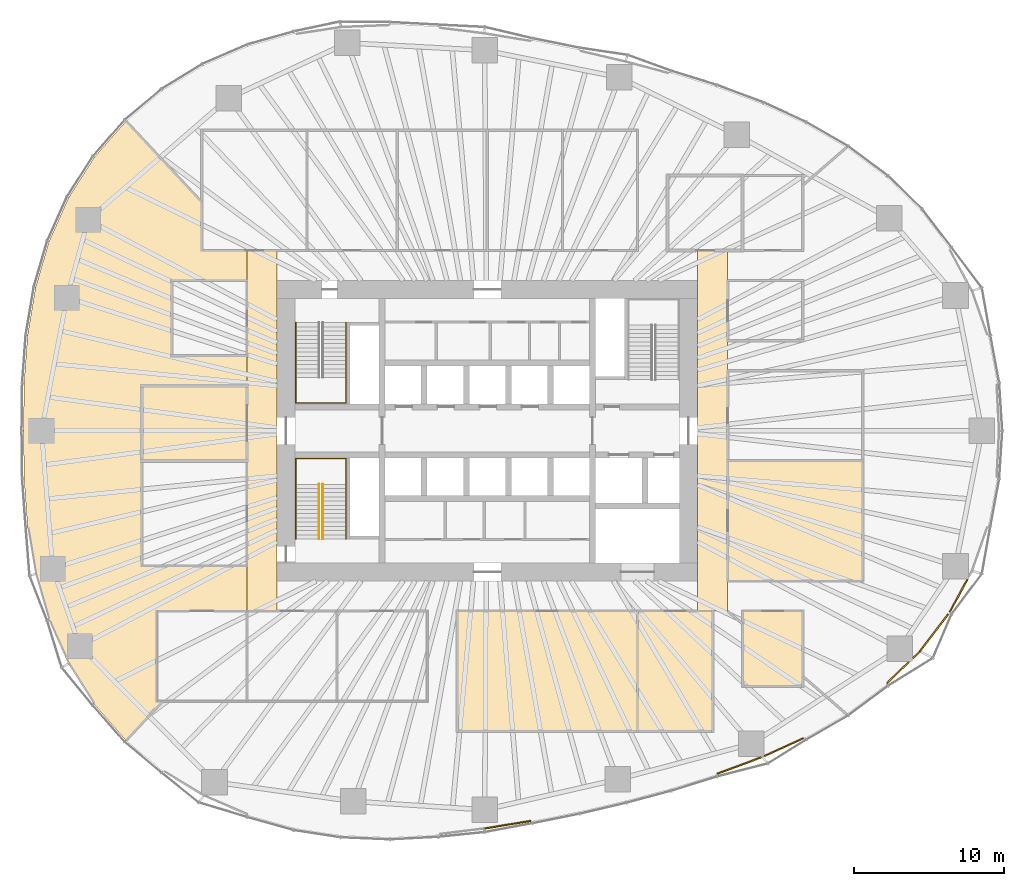
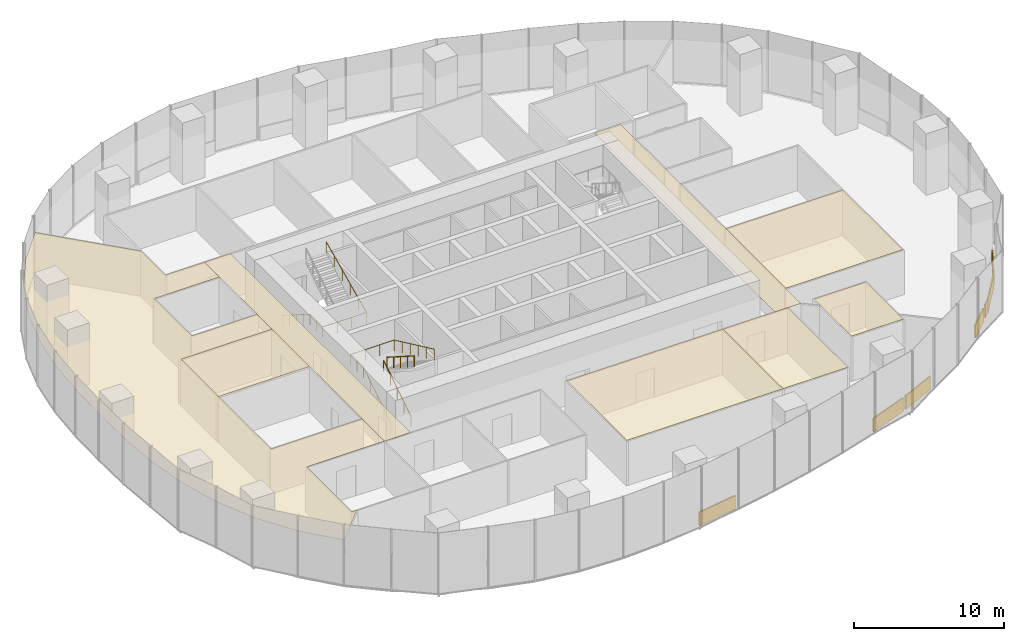
# One storey, part 18 of 20: 15 coverings, 4 railings.
"""IFC4 building model written with IfcOpenShell, lengths in metres."""

from ifc_helpers import new_model, si_unit, direction, frame, origin, origin_2d, place, context, subcontext, project, spatial, polyline, rectangle, circle, outline, extrude, material, layer, layer_set, type_object, element, save


model = new_model("IFC4")

# Units and contexts
model_context = context("Model", 3, precision=1e-05, world=origin(), true_north=direction((0.0, 1.0)))
body_context = subcontext(model_context, "Body", "Model", "MODEL_VIEW")
ifc_project = project(units=[si_unit("LENGTHUNIT", "METRE"), si_unit("AREAUNIT", "SQUARE_METRE"), si_unit("VOLUMEUNIT", "CUBIC_METRE"), si_unit("PLANEANGLEUNIT", "RADIAN"), si_unit("MASSUNIT", "GRAM", prefix="KILO")], contexts=[model_context])

# Site, building, storey
site_placement = place(None, origin())
site = spatial("IfcSite", under=ifc_project, at=site_placement, CompositionType="ELEMENT")
building_placement = place(site_placement, origin())
building = spatial("IfcBuilding", under=site, at=building_placement, Name="Ghaith Harvest Tower", CompositionType="ELEMENT")
storey_placement = place(building_placement, frame((0.0, 0.0, 90.0)))
storey = spatial("IfcBuildingStorey", under=building, at=storey_placement, Name="L18", CompositionType="ELEMENT", Elevation=90.0)

# Coverings
ifc_material_1 = material(Name="Mineral fibre ceiling tile", Category="gypsum")
ifc_layer_1 = layer(ifc_material_1, 0.02490234375)
ifc_layer_set_1 = layer_set([ifc_layer_1], Name="CEILING C2")
covering_type_1 = type_object("IfcCoveringType", Name="CEILING C2", PredefinedType="CEILING", material=ifc_layer_set_1)
covering_1_placement = place(storey_placement, frame((0.0, 0.0, 3.60009765625)))
element("IfcCovering", 1, at=covering_1_placement, inside=storey, type_object=covering_type_1, Name="Ceiling L18-01", PredefinedType="CEILING", context=body_context, shape_type="SweptSolid", body=[
    extrude(outline(polyline([(-2.0, -20.0), (10.0, -20.0), (10.0, -12.0), (-2.0, -12.0), (-2.0, -20.0)])), origin(), (0.0, 0.0, 1.0), 0.02490234375),
])
covering_2_placement = place(storey_placement, frame((0.0, 0.0, 3.60009765625)))
element("IfcCovering", 2, at=covering_2_placement, inside=storey, type_object=covering_type_1, Name="Ceiling L18-02", PredefinedType="CEILING", context=body_context, shape_type="SweptSolid", body=[
    extrude(outline(polyline([(10.0, -20.0), (15.0, -20.0), (15.0, -12.0), (10.0, -12.0), (10.0, -20.0)])), origin(), (0.0, 0.0, 1.0), 0.02490234375),
])
covering_3_placement = place(storey_placement, frame((0.0, 0.0, 3.60009765625)))
element("IfcCovering", 3, at=covering_3_placement, inside=storey, type_object=covering_type_1, Name="Ceiling L18-06", PredefinedType="CEILING", context=body_context, shape_type="SweptSolid", body=[
    extrude(outline(polyline([(16.0, -10.0), (25.0, -10.0), (25.0, -2.0), (16.0, -2.0), (16.0, -10.0)])), origin(), (0.0, 0.0, 1.0), 0.02490234375),
])
covering_4_placement = place(storey_placement, frame((0.0, 0.0, 3.60009765625)))
element("IfcCovering", 4, at=covering_4_placement, inside=storey, type_object=covering_type_1, Name="Ceiling L18-14", PredefinedType="CEILING", context=body_context, shape_type="SweptSolid", body=[
    extrude(outline(polyline([(-23.0, -2.0), (-16.0, -2.0), (-16.0, 3.0), (-23.0, 3.0), (-23.0, -2.0)])), origin(), (0.0, 0.0, 1.0), 0.02490234375),
])
covering_5_placement = place(storey_placement, frame((0.0, 0.0, 3.60009765625)))
element("IfcCovering", 5, at=covering_5_placement, inside=storey, type_object=covering_type_1, Name="Ceiling L18-17", PredefinedType="CEILING", context=body_context, shape_type="SweptSolid", body=[
    extrude(outline(polyline([(17.0, -17.0), (21.0, -17.0), (21.0, -12.0), (17.0, -12.0), (17.0, -17.0)])), origin(), (0.0, 0.0, 1.0), 0.02490234375),
])
covering_6_placement = place(storey_placement, frame((0.0, 0.0, 3.60009765625)))
element("IfcCovering", 6, at=covering_6_placement, inside=storey, type_object=covering_type_1, Name="Ceiling L18-C1", PredefinedType="CEILING", context=body_context, shape_type="SweptSolid", body=[
    extrude(outline(polyline([(14.0, -12.0), (14.0, 12.0), (16.0, 12.0), (16.0, -12.0), (14.0, -12.0)])), origin(), (0.0, 0.0, 1.0), 0.02490234375),
])
covering_7_placement = place(storey_placement, frame((0.0, 0.0, 3.60009765625)))
element("IfcCovering", 7, at=covering_7_placement, inside=storey, type_object=covering_type_1, Name="Ceiling L18-C2", PredefinedType="CEILING", context=body_context, shape_type="SweptSolid", body=[
    extrude(outline(polyline([(-14.0, 12.0), (-14.0, -12.0), (-16.0, -12.0), (-16.0, 12.0), (-14.0, 12.0)])), origin(), (0.0, 0.0, 1.0), 0.02490234375),
])
covering_8_placement = place(storey_placement, frame((0.0, 0.0, 3.60009765625)))
element("IfcCovering", 8, at=covering_8_placement, inside=storey, type_object=covering_type_1, Name="Ceiling L18-W1", PredefinedType="CEILING", context=body_context, shape_type="SweptSolid", body=[
    extrude(outline(polyline([(-26.16455078125, -18.20556640625), (-27.881591796875, -15.507080078125), (-29.182373046875, -12.587890625), (-30.073974609375, -9.531005859375), (-30.606689453125, -6.35107421875), (-30.837158203125, -3.165771484375), (-30.875, 0.0), (-30.837158203125, 3.165771484375), (-30.606689453125, 6.35107421875), (-30.073974609375, 9.531005859375), (-29.182373046875, 12.587890625), (-27.881591796875, 15.507080078125), (-26.16455078125, 18.20556640625), (-24.04833984375, 20.618408203125), (-19.0, 15.21240234375), (-19.0, 12.0), (-16.0, 12.0), (-16.0, 10.0), (-21.0, 10.0), (-21.0, 5.0), (-16.0, 5.0), (-16.0, 3.0), (-23.0, 3.0), (-23.0, -9.0), (-16.0, -9.0), (-16.0, -12.0), (-22.0, -12.0), (-22.0, -18.0), (-21.60302734375, -18.0), (-24.04833984375, -20.618408203125), (-26.16455078125, -18.20556640625)])), origin(), (0.0, 0.0, 1.0), 0.02490234375),
])

# Railings
ifc_material_2 = material(Name="Steel, black powder-coated", Category="steel")
railing_type = type_object("IfcRailingType", Name="HANDRAIL HR1", PredefinedType="HANDRAIL", material=ifc_material_2)
railing_1_placement = place(storey_placement, frame((-12.75, 7.199951171875, 0.178466796875)))
element("IfcRailing", 9, at=railing_1_placement, inside=storey, type_object=railing_type, Name="Handrail HR1 stair ST1 L18 wall side", PredefinedType="HANDRAIL", context=body_context, shape_type="SweptSolid", body=[
    extrude(circle(Radius=0.02392578125, at=origin_2d()), frame((0.0, 0.0, 0.8759765625), z_axis=(0.0, -0.843111507901, 0.53773877045), x_axis=(1.0, 0.0, 0.0)), (0.0, 0.0, 1.0), 4.317138671875),
    extrude(circle(Radius=0.02392578125, at=origin_2d()), frame((0.0, -3.639892578125, 3.197265625), z_axis=(0.0, -1.0, 0.0), x_axis=(1.0, 0.0, 0.0)), (0.0, 0.0, 1.0), 1.7099609375),
    extrude(circle(Radius=0.02392578125, at=origin_2d()), frame((0.0, -5.349853515625, 3.197265625), z_axis=(1.0, 0.0, 0.0), x_axis=(0.0, 1.0, 0.0)), (0.0, 0.0, 1.0), 3.35009765625),
    extrude(circle(Radius=0.02392578125, at=origin_2d()), frame((3.35009765625, -5.349853515625, 3.197265625), z_axis=(0.0, 0.905962265858, 0.423358444868), x_axis=(-1.0, 0.0, 0.0)), (0.0, 0.0, 1.0), 5.9052734375),
    extrude(circle(Radius=0.02099609375, at=origin_2d()), origin(), (0.0, 0.0, 1.0), 0.851806640625),
    extrude(circle(Radius=0.02099609375, at=origin_2d()), frame((0.0, -0.909912109375, 0.580322265625)), (0.0, 0.0, 1.0), 0.851806640625),
    extrude(circle(Radius=0.02099609375, at=origin_2d()), frame((0.0, -1.81982421875, 1.16064453125)), (0.0, 0.0, 1.0), 0.851806640625),
    extrude(circle(Radius=0.02099609375, at=origin_2d()), frame((0.0, -2.72998046875, 1.7412109375)), (0.0, 0.0, 1.0), 0.851806640625),
    extrude(circle(Radius=0.02099609375, at=origin_2d()), frame((0.0, -3.639892578125, 2.321533203125)), (0.0, 0.0, 1.0), 0.851806640625),
    extrude(circle(Radius=0.02099609375, at=origin_2d()), frame((0.0, -4.494873046875, 2.321533203125)), (0.0, 0.0, 1.0), 0.851806640625),
    extrude(circle(Radius=0.02099609375, at=origin_2d()), frame((0.0, -5.349853515625, 2.321533203125)), (0.0, 0.0, 1.0), 0.851806640625),
    extrude(circle(Radius=0.02099609375, at=origin_2d()), frame((1.11669921875, -5.349853515625, 2.321533203125)), (0.0, 0.0, 1.0), 0.851806640625),
    extrude(circle(Radius=0.02099609375, at=origin_2d()), frame((2.2333984375, -5.349853515625, 2.321533203125)), (0.0, 0.0, 1.0), 0.851806640625),
    extrude(circle(Radius=0.02099609375, at=origin_2d()), frame((3.35009765625, -5.349853515625, 2.321533203125)), (0.0, 0.0, 1.0), 0.851806640625),
    extrude(circle(Radius=0.02099609375, at=origin_2d()), frame((3.35009765625, -4.27978515625, 2.821533203125)), (0.0, 0.0, 1.0), 0.851806640625),
    extrude(circle(Radius=0.02099609375, at=origin_2d()), frame((3.35009765625, -3.2099609375, 3.321533203125)), (0.0, 0.0, 1.0), 0.851806640625),
    extrude(circle(Radius=0.02099609375, at=origin_2d()), frame((3.35009765625, -2.139892578125, 3.821533203125)), (0.0, 0.0, 1.0), 0.851806640625),
    extrude(circle(Radius=0.02099609375, at=origin_2d()), frame((3.35009765625, -1.070068359375, 4.321533203125)), (0.0, 0.0, 1.0), 0.851806640625),
    extrude(circle(Radius=0.02099609375, at=origin_2d()), frame((3.35009765625, 0.0, 4.821533203125)), (0.0, 0.0, 1.0), 0.851806640625),
])
railing_2_placement = place(storey_placement, frame((-11.199951171875, -7.199951171875, 0.178466796875)))
element("IfcRailing", 10, at=railing_2_placement, inside=storey, type_object=railing_type, Name="Handrail HR1 stair ST3 L18 flight 1 inner", PredefinedType="HANDRAIL", context=body_context, shape_type="SweptSolid", body=[
    extrude(circle(Radius=0.02392578125, at=origin_2d()), frame((0.0, 0.0, 0.8759765625), z_axis=(0.0, 0.843111507901, 0.53773877045), x_axis=(-1.0, 0.0, 0.0)), (0.0, 0.0, 1.0), 4.317138671875),
    extrude(circle(Radius=0.02099609375, at=origin_2d()), origin(), (0.0, 0.0, 1.0), 0.851806640625),
    extrude(circle(Radius=0.02099609375, at=origin_2d()), frame((0.0, 0.909912109375, 0.580322265625)), (0.0, 0.0, 1.0), 0.851806640625),
    extrude(circle(Radius=0.02099609375, at=origin_2d()), frame((0.0, 1.81982421875, 1.16064453125)), (0.0, 0.0, 1.0), 0.851806640625),
    extrude(circle(Radius=0.02099609375, at=origin_2d()), frame((0.0, 2.72998046875, 1.7412109375)), (0.0, 0.0, 1.0), 0.851806640625),
    extrude(circle(Radius=0.02099609375, at=origin_2d()), frame((0.0, 3.639892578125, 2.321533203125)), (0.0, 0.0, 1.0), 0.851806640625),
])
railing_3_placement = place(storey_placement, frame((-10.949951171875, -3.56005859375, 2.678466796875)))
element("IfcRailing", 11, at=railing_3_placement, inside=storey, type_object=railing_type, Name="Handrail HR1 stair ST3 L18 flight 2 inner", PredefinedType="HANDRAIL", context=body_context, shape_type="SweptSolid", body=[
    extrude(circle(Radius=0.02392578125, at=origin_2d()), frame((0.0, 0.0, 0.8759765625), z_axis=(0.0, -0.843111507901, 0.53773877045), x_axis=(1.0, 0.0, 0.0)), (0.0, 0.0, 1.0), 4.317138671875),
    extrude(circle(Radius=0.02099609375, at=origin_2d()), origin(), (0.0, 0.0, 1.0), 0.851806640625),
    extrude(circle(Radius=0.02099609375, at=origin_2d()), frame((0.0, -0.909912109375, 0.580322265625)), (0.0, 0.0, 1.0), 0.851806640625),
    extrude(circle(Radius=0.02099609375, at=origin_2d()), frame((0.0, -1.81982421875, 1.16064453125)), (0.0, 0.0, 1.0), 0.851806640625),
    extrude(circle(Radius=0.02099609375, at=origin_2d()), frame((0.0, -2.72998046875, 1.7412109375)), (0.0, 0.0, 1.0), 0.851806640625),
    extrude(circle(Radius=0.02099609375, at=origin_2d()), frame((0.0, -3.639892578125, 2.321533203125)), (0.0, 0.0, 1.0), 0.851806640625),
])
railing_4_placement = place(storey_placement, frame((-12.75, -7.199951171875, 0.178466796875)))
element("IfcRailing", 12, at=railing_4_placement, inside=storey, type_object=railing_type, Name="Handrail HR1 stair ST3 L18 wall side", PredefinedType="HANDRAIL", context=body_context, shape_type="SweptSolid", body=[
    extrude(circle(Radius=0.02392578125, at=origin_2d()), frame((0.0, 0.0, 0.8759765625), z_axis=(0.0, 0.843111507901, 0.53773877045), x_axis=(-1.0, 0.0, 0.0)), (0.0, 0.0, 1.0), 4.317138671875),
    extrude(circle(Radius=0.02392578125, at=origin_2d()), frame((0.0, 3.639892578125, 3.197265625), z_axis=(0.0, 1.0, 0.0), x_axis=(-1.0, 0.0, 0.0)), (0.0, 0.0, 1.0), 1.7099609375),
    extrude(circle(Radius=0.02392578125, at=origin_2d()), frame((0.0, 5.349853515625, 3.197265625), z_axis=(1.0, 0.0, 0.0), x_axis=(0.0, 1.0, 0.0)), (0.0, 0.0, 1.0), 3.35009765625),
    extrude(circle(Radius=0.02392578125, at=origin_2d()), frame((3.35009765625, 5.349853515625, 3.197265625), z_axis=(0.0, -0.905962265858, 0.423358444868), x_axis=(1.0, 0.0, 0.0)), (0.0, 0.0, 1.0), 5.9052734375),
    extrude(circle(Radius=0.02099609375, at=origin_2d()), origin(), (0.0, 0.0, 1.0), 0.851806640625),
    extrude(circle(Radius=0.02099609375, at=origin_2d()), frame((0.0, 0.909912109375, 0.580322265625)), (0.0, 0.0, 1.0), 0.851806640625),
    extrude(circle(Radius=0.02099609375, at=origin_2d()), frame((0.0, 1.81982421875, 1.16064453125)), (0.0, 0.0, 1.0), 0.851806640625),
    extrude(circle(Radius=0.02099609375, at=origin_2d()), frame((0.0, 2.72998046875, 1.7412109375)), (0.0, 0.0, 1.0), 0.851806640625),
    extrude(circle(Radius=0.02099609375, at=origin_2d()), frame((0.0, 3.639892578125, 2.321533203125)), (0.0, 0.0, 1.0), 0.851806640625),
    extrude(circle(Radius=0.02099609375, at=origin_2d()), frame((0.0, 4.494873046875, 2.321533203125)), (0.0, 0.0, 1.0), 0.851806640625),
    extrude(circle(Radius=0.02099609375, at=origin_2d()), frame((0.0, 5.349853515625, 2.321533203125)), (0.0, 0.0, 1.0), 0.851806640625),
    extrude(circle(Radius=0.02099609375, at=origin_2d()), frame((1.11669921875, 5.349853515625, 2.321533203125)), (0.0, 0.0, 1.0), 0.851806640625),
    extrude(circle(Radius=0.02099609375, at=origin_2d()), frame((2.2333984375, 5.349853515625, 2.321533203125)), (0.0, 0.0, 1.0), 0.851806640625),
    extrude(circle(Radius=0.02099609375, at=origin_2d()), frame((3.35009765625, 5.349853515625, 2.321533203125)), (0.0, 0.0, 1.0), 0.851806640625),
    extrude(circle(Radius=0.02099609375, at=origin_2d()), frame((3.35009765625, 4.27978515625, 2.821533203125)), (0.0, 0.0, 1.0), 0.851806640625),
    extrude(circle(Radius=0.02099609375, at=origin_2d()), frame((3.35009765625, 3.2099609375, 3.321533203125)), (0.0, 0.0, 1.0), 0.851806640625),
    extrude(circle(Radius=0.02099609375, at=origin_2d()), frame((3.35009765625, 2.139892578125, 3.821533203125)), (0.0, 0.0, 1.0), 0.851806640625),
    extrude(circle(Radius=0.02099609375, at=origin_2d()), frame((3.35009765625, 1.070068359375, 4.321533203125)), (0.0, 0.0, 1.0), 0.851806640625),
    extrude(circle(Radius=0.02099609375, at=origin_2d()), frame((3.35009765625, 0.0, 4.821533203125)), (0.0, 0.0, 1.0), 0.851806640625),
])

# Coverings
ifc_material_3 = material(Name="Insulated aluminium spandrel panel on steel framing", Category="steel")
ifc_layer_2 = layer(ifc_material_3, 0.10009765625)
ifc_layer_set_2 = layer_set([ifc_layer_2], Name="SLAB EDGE UPSTAND 1100x100")
covering_type_2 = type_object("IfcCoveringType", Name="SLAB EDGE UPSTAND 1100x100", PredefinedType="CLADDING", material=ifc_layer_set_2)
covering_9_placement = place(storey_placement, frame((1.349609375, -26.224365234375, 0.0), z_axis=(0.0, 0.0, 1.0), x_axis=(0.98671624755, 0.162453214254, 0.0)))
element("IfcCovering", 13, at=covering_9_placement, inside=storey, type_object=covering_type_2, Name="Slab edge upstand 1 bay 16 L18", PredefinedType="CLADDING", context=body_context, shape_type="SweptSolid", body=[
    extrude(rectangle(XDim=3.119873046875, YDim=0.10009765625, at=origin_2d()), origin(), (0.0, 0.0, 1.0), 1.10009765625),
])
covering_10_placement = place(storey_placement, frame((16.764404296875, -22.289306640625, 0.0), z_axis=(0.0, 0.0, 1.0), x_axis=(0.937331853701, 0.348437937139, 0.0)))
element("IfcCovering", 14, at=covering_10_placement, inside=storey, type_object=covering_type_2, Name="Slab edge upstand 3 bay 17 L18", PredefinedType="CLADDING", context=body_context, shape_type="SweptSolid", body=[
    extrude(rectangle(XDim=3.1298828125, YDim=0.10009765625, at=origin_2d()), origin(), (0.0, 0.0, 1.0), 1.10009765625),
])
covering_11_placement = place(storey_placement, frame((19.7451171875, -21.05810546875, 0.0), z_axis=(0.0, 0.0, 1.0), x_axis=(0.909046054499, 0.416695657284, 0.0)))
element("IfcCovering", 15, at=covering_11_placement, inside=storey, type_object=covering_type_2, Name="Slab edge upstand 1 bay 18 L18", PredefinedType="CLADDING", context=body_context, shape_type="SweptSolid", body=[
    extrude(rectangle(XDim=2.84326171875, YDim=0.10009765625, at=origin_2d()), origin(), (0.0, 0.0, 1.0), 1.10009765625),
])
covering_12_placement = place(storey_placement, frame((27.330810546875, -16.105224609375, 0.0), z_axis=(0.0, 0.0, 1.0), x_axis=(0.717386427289, 0.69667547247, 0.0)))
element("IfcCovering", 16, at=covering_12_placement, inside=storey, type_object=covering_type_2, Name="Slab edge upstand 1 bay 19 L18", PredefinedType="CLADDING", context=body_context, shape_type="SweptSolid", body=[
    extrude(rectangle(XDim=2.010498046875, YDim=0.10009765625, at=origin_2d()), origin(), (0.0, 0.0, 1.0), 1.10009765625),
])
covering_13_placement = place(storey_placement, frame((28.57470703125, -14.897216796875, 0.0), z_axis=(0.0, 0.0, 1.0), x_axis=(0.717386427289, 0.69667547247, 0.0)))
element("IfcCovering", 17, at=covering_13_placement, inside=storey, type_object=covering_type_2, Name="Slab edge upstand 1 bay 19 L18", PredefinedType="CLADDING", context=body_context, shape_type="SweptSolid", body=[
    extrude(rectangle(XDim=0.643310546875, YDim=0.10009765625, at=origin_2d()), origin(), (0.0, 0.0, 1.0), 1.10009765625),
])
covering_14_placement = place(storey_placement, frame((29.74267578125, -13.44921875, 0.0), z_axis=(0.0, 0.0, 1.0), x_axis=(0.608255123652, 0.7937415855, 0.0)))
element("IfcCovering", 18, at=covering_14_placement, inside=storey, type_object=covering_type_2, Name="Slab edge upstand 2 bay 19 L18", PredefinedType="CLADDING", context=body_context, shape_type="SweptSolid", body=[
    extrude(rectangle(XDim=3.09765625, YDim=0.10009765625, at=origin_2d()), origin(), (0.0, 0.0, 1.0), 1.10009765625),
])
covering_15_placement = place(storey_placement, frame((31.3759765625, -10.9755859375, 0.0), z_axis=(0.0, 0.0, 1.0), x_axis=(0.4763492928, 0.879256135178, 0.0)))
element("IfcCovering", 19, at=covering_15_placement, inside=storey, type_object=covering_type_2, Name="Slab edge upstand 3 bay 19 L18", PredefinedType="CLADDING", context=body_context, shape_type="SweptSolid", body=[
    extrude(rectangle(XDim=2.46484375, YDim=0.10009765625, at=origin_2d()), origin(), (0.0, 0.0, 1.0), 1.10009765625),
])

save(model, "model.ifc")
